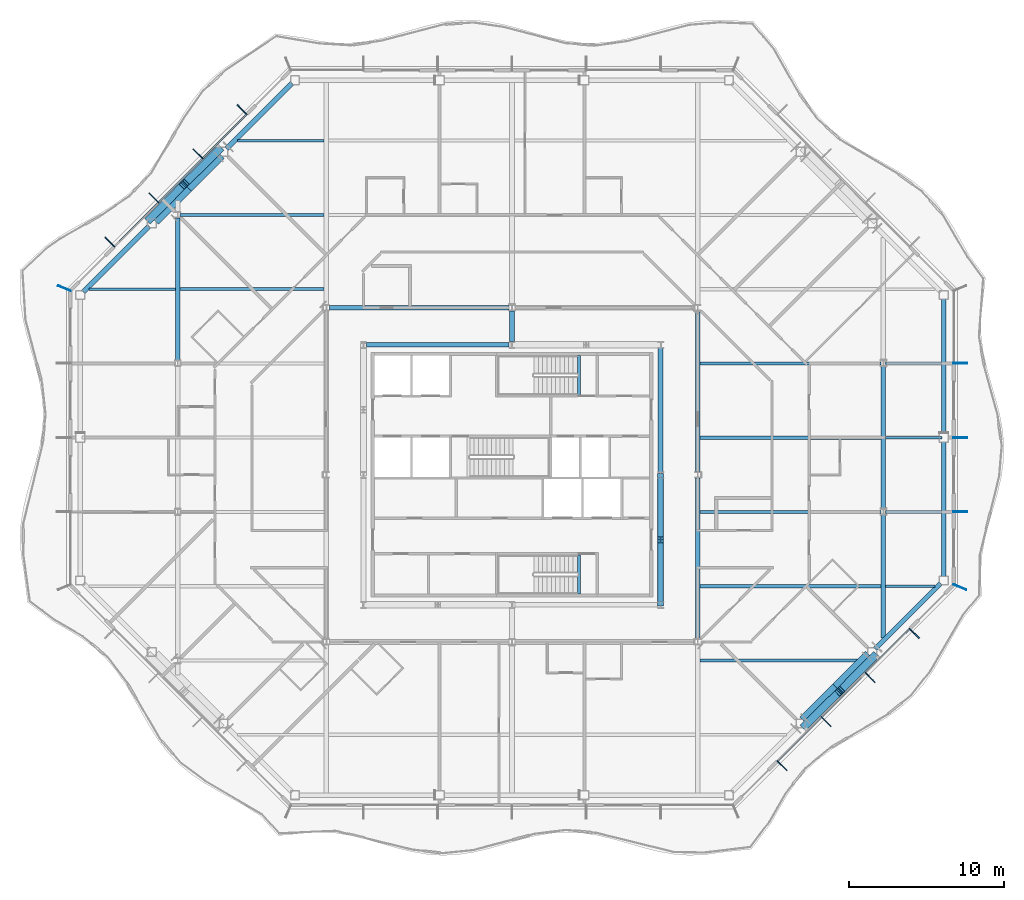
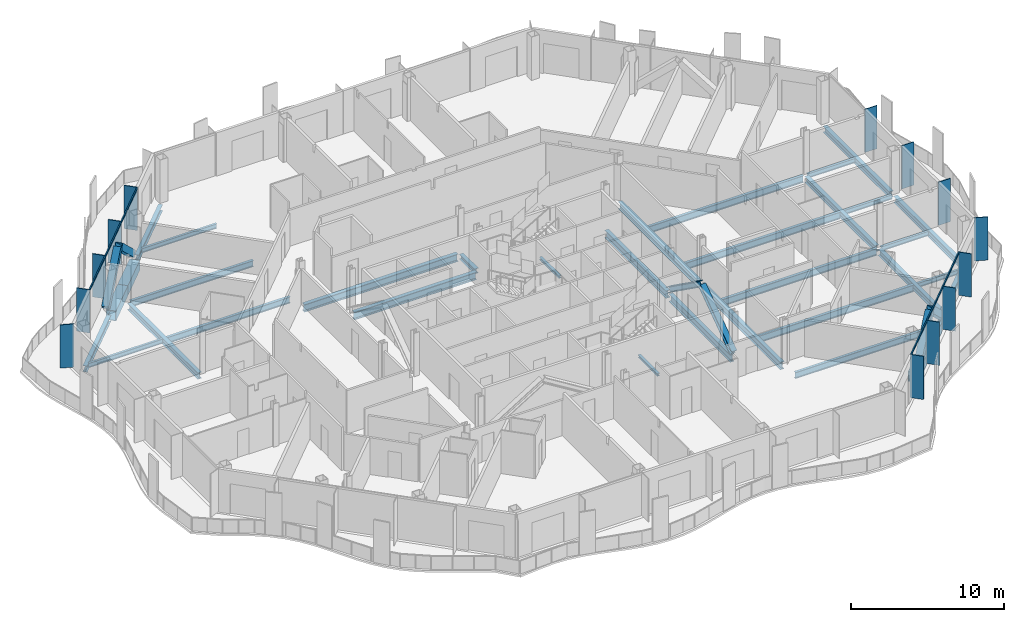
# One storey, part 4 of 21: 34 beams, 25 members, 4 elements without a shape of their own.
"""IFC4 building model written with IfcOpenShell, lengths in metres."""

from ifc_helpers import new_model, si_unit, direction, frame, origin, origin_2d, place, context, subcontext, project, spatial, rectangle, hollow_rectangle, i_section, extrude, material, material_profile, profile_set, type_object, element, aggregate, save


model = new_model("IFC4")

# Units and contexts
model_context = context("Model", 3, precision=1e-05, world=origin(), true_north=direction((0.0, 1.0)))
body_context = subcontext(model_context, "Body", "Model", "MODEL_VIEW")
ifc_project = project(units=[si_unit("LENGTHUNIT", "METRE"), si_unit("AREAUNIT", "SQUARE_METRE"), si_unit("VOLUMEUNIT", "CUBIC_METRE"), si_unit("PLANEANGLEUNIT", "RADIAN"), si_unit("MASSUNIT", "GRAM", prefix="KILO")], contexts=[model_context])

# Site, building, storey
site_placement = place(None, origin())
site = spatial("IfcSite", under=ifc_project, at=site_placement, CompositionType="ELEMENT")
building_placement = place(site_placement, origin())
building = spatial("IfcBuilding", under=site, at=building_placement, Name="Cairn Pilgrim Tower", CompositionType="ELEMENT")
storey_placement = place(building_placement, frame((0.0, 0.0, 150.60009765625)))
storey = spatial("IfcBuildingStorey", under=building, at=storey_placement, Name="L37", CompositionType="ELEMENT", Elevation=150.60009765625)

# Members
ifc_material_1 = material(Name="Structural steel S460M", Category="steel")
ifc_material_profile_1 = material_profile(ifc_material_1, hollow_rectangle(XDim=0.5, YDim=0.5, WallThickness=0.030029296875, at=origin_2d()), Name="BOX 500x500x30")
ifc_profile_set_1 = profile_set([ifc_material_profile_1], Name="Structural steel S460M")
member_type_1 = type_object("IfcMemberType", Name="BOX 500x500x30 BRACE", PredefinedType="BRACE", material=ifc_profile_set_1)
for number, where, z_axis, x_axis, name in (
    (1, (26.097900390625, -13.84326171875, 0.14990234375), (0.540432836476, 0.53283023714, 0.651171473306), (-0.702080283622, 0.712097799006, 0.0), "XB-SE2-SE3-1"),
    (2, (30.643310546875, -9.2978515625, 0.14990234375), (-0.53283023714, -0.540432836476, 0.651171473306), (0.712097799006, -0.702080283622, 0.0), "XB-SE2-SE3-2"),
    (3, (-11.697998046875, 23.443359375, 0.14990234375), (-0.540432836476, -0.53283023714, 0.651171473306), (0.702080283622, -0.712097799006, 0.0), "XB-NW2-NW3-1"),
    (4, (-16.243408203125, 18.89794921875, 0.14990234375), (0.532872437944, 0.54041586551, 0.651151024866), (-0.712058976351, 0.702119658034, 0.0), "XB-NW2-NW3-2"),
):
    element("IfcMember", number, at=place(storey_placement, frame(where, z_axis=z_axis, x_axis=x_axis)), inside=storey, type_object=member_type_1, Name=name, PredefinedType="BRACE", context=body_context, shape_type="SweptSolid", body=[
        extrude(hollow_rectangle(XDim=0.5, YDim=0.5, WallThickness=0.030029296875, at=origin_2d()), origin(), (0.0, 0.0, 1.0), 4.142578125),
    ])

# Beams
ifc_material_2 = material(Name="Structural steel S355J2", Category="steel")
ifc_material_profile_2 = material_profile(ifc_material_2, hollow_rectangle(XDim=0.699951171875, YDim=0.800048828125, WallThickness=0.0400390625, at=origin_2d()), Name="BOX 700x800x40")
ifc_profile_set_2 = profile_set([ifc_material_profile_2], Name="Structural steel S355J2")
beam_type_1 = type_object("IfcBeamType", Name="BOX 700x800x40 RING GIRDER", PredefinedType="SPANDREL", material=ifc_profile_set_2)
for number, where, z_axis, x_axis, name in (
    (5, (26.04248046875, -13.48486328125, -0.550048828125), (0.707066087907, 0.707147472125, 0.0), (-0.707147472125, 0.707066087907, 0.0), "RG2-SE2-SE3-1"),
    (6, (28.16357421875, -11.363525390625, -0.550048828125), (0.707147472125, 0.707066087907, 0.0), (-0.707066087907, 0.707147472125, 0.0), "RG2-SE2-SE3-2"),
    (7, (-11.642333984375, 23.084716796875, -0.550048828125), (-0.707147472125, -0.707066087907, 0.0), (0.707066087907, -0.707147472125, 0.0), "RG2-NW2-NW3-1"),
    (8, (-13.763671875, 20.963623046875, -0.550048828125), (-0.707066087907, -0.707147472125, 0.0), (0.707147472125, -0.707066087907, 0.0), "RG2-NW2-NW3-2"),
):
    element("IfcBeam", number, at=place(storey_placement, frame(where, z_axis=z_axis, x_axis=x_axis)), inside=storey, type_object=beam_type_1, Name=name, PredefinedType="SPANDREL", context=body_context, shape_type="SweptSolid", body=[
        extrude(hollow_rectangle(XDim=0.699951171875, YDim=0.800048828125, WallThickness=0.0400390625, at=origin_2d()), origin(), (0.0, 0.0, 1.0), 2.999755859375),
    ])

# Curtain wall, members
ifc_material_3 = material(Name="Aluminium alloy 6063-T6 bronze anodised with Bronze tinted laminated low-E glass 8+16+8.8", Category="aluminium")
curtain_wall_type_1 = type_object("IfcCurtainWallType", Name="CHAMFER CORNER CURTAIN WALL", PredefinedType="NOTDEFINED", material=ifc_material_3)
curtain_wall_1_placement = place(storey_placement, origin())
curtain_wall_1 = element("IfcCurtainWall", 9, at=curtain_wall_1_placement, inside=storey, type_object=curtain_wall_type_1, Name="Chamfer Corner Curtain Wall SE", PredefinedType="NOTDEFINED")
ifc_material_4 = material(Name="Aluminium alloy 6063-T6 bronze anodised", Category="aluminium")
ifc_material_profile_3 = material_profile(ifc_material_4, rectangle(XDim=0.89990234375, YDim=0.06005859375, at=origin_2d()), Name="FIN MULLION 60x900 BRONZE")
ifc_profile_set_3 = profile_set([ifc_material_profile_3], Name="Aluminium alloy 6063-T6 bronze anodised")
member_type_2 = type_object("IfcMemberType", Name="FIN MULLION 60x900 BRONZE", PredefinedType="MULLION", material=ifc_profile_set_3)
member_1_placement = place(storey_placement, frame((24.64404296875, -16.396240234375, 0.0), z_axis=(0.0, 0.0, 1.0), x_axis=(0.707106781187, -0.707106781187, 0.0)))
member_1 = element("IfcMember", 10, at=member_1_placement, type_object=member_type_2, Name="Fin mullion SE2", PredefinedType="MULLION", context=body_context, shape_type="SweptSolid", body=[
    extrude(rectangle(XDim=0.89990234375, YDim=0.06005859375, at=origin_2d()), origin(), (0.0, 0.0, 1.0), 3.449951171875),
])
member_2_placement = place(storey_placement, frame((27.494873046875, -13.545654296875, 0.0), z_axis=(0.0, 0.0, 1.0), x_axis=(0.707106781187, -0.707106781187, 0.0)))
member_2 = element("IfcMember", 11, at=member_2_placement, type_object=member_type_2, Name="Fin mullion SE3", PredefinedType="MULLION", context=body_context, shape_type="SweptSolid", body=[
    extrude(rectangle(XDim=0.89990234375, YDim=0.06005859375, at=origin_2d()), origin(), (0.0, 0.0, 1.0), 3.449951171875),
])
member_3_placement = place(storey_placement, frame((30.345458984375, -10.69482421875, 0.0), z_axis=(0.0, 0.0, 1.0), x_axis=(0.707106781187, -0.707106781187, 0.0)))
member_3 = element("IfcMember", 12, at=member_3_placement, type_object=member_type_2, Name="Fin mullion SE4", PredefinedType="MULLION", context=body_context, shape_type="SweptSolid", body=[
    extrude(rectangle(XDim=0.89990234375, YDim=0.06005859375, at=origin_2d()), origin(), (0.0, 0.0, 1.0), 3.449951171875),
])
member_4_placement = place(storey_placement, frame((33.1962890625, -7.84423828125, 0.0), z_axis=(0.0, 0.0, 1.0), x_axis=(0.707106781187, -0.707106781187, 0.0)))
member_4 = element("IfcMember", 13, at=member_4_placement, type_object=member_type_2, Name="Fin mullion SE5", PredefinedType="MULLION", context=body_context, shape_type="SweptSolid", body=[
    extrude(rectangle(XDim=0.89990234375, YDim=0.06005859375, at=origin_2d()), origin(), (0.0, 0.0, 1.0), 3.449951171875),
])

curtain_wall_type_2 = type_object("IfcCurtainWallType", Name="TOWER STICK CURTAIN WALL EW", PredefinedType="NOTDEFINED", material=ifc_material_3)
curtain_wall_2_placement = place(storey_placement, origin())
curtain_wall_2 = element("IfcCurtainWall", 14, at=curtain_wall_2_placement, inside=storey, type_object=curtain_wall_type_2, Name="Tower Stick Curtain Wall Ew E", PredefinedType="NOTDEFINED")
member_5_placement = place(storey_placement, frame((36.137939453125, -4.857177734375, 0.0), z_axis=(0.0, 0.0, 1.0), x_axis=(0.923879532511, -0.382683432365, 0.0)))
member_5 = element("IfcMember", 15, at=member_5_placement, type_object=member_type_2, Name="Fin mullion E1", PredefinedType="MULLION", context=body_context, shape_type="SweptSolid", body=[
    extrude(rectangle(XDim=0.89990234375, YDim=0.06005859375, at=origin_2d()), origin(), (0.0, 0.0, 1.0), 3.449951171875),
])
member_6_placement = place(storey_placement, frame((36.169921875, 0.0, 0.0), z_axis=(0.0, 0.0, 1.0), x_axis=(1.0, 0.0, 0.0)))
member_6 = element("IfcMember", 16, at=member_6_placement, type_object=member_type_2, Name="Fin mullion E2", PredefinedType="MULLION", context=body_context, shape_type="SweptSolid", body=[
    extrude(rectangle(XDim=0.89990234375, YDim=0.06005859375, at=origin_2d()), origin(), (0.0, 0.0, 1.0), 3.449951171875),
])
member_7_placement = place(storey_placement, frame((36.169921875, 4.800048828125, 0.0), z_axis=(0.0, 0.0, 1.0), x_axis=(1.0, 0.0, 0.0)))
member_7 = element("IfcMember", 17, at=member_7_placement, type_object=member_type_2, Name="Fin mullion E3", PredefinedType="MULLION", context=body_context, shape_type="SweptSolid", body=[
    extrude(rectangle(XDim=0.89990234375, YDim=0.06005859375, at=origin_2d()), origin(), (0.0, 0.0, 1.0), 3.449951171875),
])
member_8_placement = place(storey_placement, frame((36.169921875, 9.60009765625, 0.0), z_axis=(0.0, 0.0, 1.0), x_axis=(1.0, 0.0, 0.0)))
member_8 = element("IfcMember", 18, at=member_8_placement, type_object=member_type_2, Name="Fin mullion E4", PredefinedType="MULLION", context=body_context, shape_type="SweptSolid", body=[
    extrude(rectangle(XDim=0.89990234375, YDim=0.06005859375, at=origin_2d()), origin(), (0.0, 0.0, 1.0), 3.449951171875),
])
aggregate(curtain_wall_2, [member_5, member_6, member_7, member_8])

curtain_wall_3_placement = place(storey_placement, origin())
curtain_wall_3 = element("IfcCurtainWall", 19, at=curtain_wall_3_placement, inside=storey, type_object=curtain_wall_type_1, Name="Chamfer Corner Curtain Wall NW", PredefinedType="NOTDEFINED")
member_9_placement = place(storey_placement, frame((-10.244140625, 25.996337890625, 0.0), z_axis=(0.0, 0.0, 1.0), x_axis=(-0.707106781187, 0.707106781187, 0.0)))
member_9 = element("IfcMember", 20, at=member_9_placement, type_object=member_type_2, Name="Fin mullion NW2", PredefinedType="MULLION", context=body_context, shape_type="SweptSolid", body=[
    extrude(rectangle(XDim=0.89990234375, YDim=0.06005859375, at=origin_2d()), origin(), (0.0, 0.0, 1.0), 3.449951171875),
])
member_10_placement = place(storey_placement, frame((-13.094970703125, 23.1455078125, 0.0), z_axis=(0.0, 0.0, 1.0), x_axis=(-0.707106781187, 0.707106781187, 0.0)))
member_10 = element("IfcMember", 21, at=member_10_placement, type_object=member_type_2, Name="Fin mullion NW3", PredefinedType="MULLION", context=body_context, shape_type="SweptSolid", body=[
    extrude(rectangle(XDim=0.89990234375, YDim=0.06005859375, at=origin_2d()), origin(), (0.0, 0.0, 1.0), 3.449951171875),
])
member_11_placement = place(storey_placement, frame((-15.945556640625, 20.294921875, 0.0), z_axis=(0.0, 0.0, 1.0), x_axis=(-0.707106781187, 0.707106781187, 0.0)))
member_11 = element("IfcMember", 22, at=member_11_placement, type_object=member_type_2, Name="Fin mullion NW4", PredefinedType="MULLION", context=body_context, shape_type="SweptSolid", body=[
    extrude(rectangle(XDim=0.89990234375, YDim=0.06005859375, at=origin_2d()), origin(), (0.0, 0.0, 1.0), 3.449951171875),
])
member_12_placement = place(storey_placement, frame((-18.79638671875, 17.444091796875, 0.0), z_axis=(0.0, 0.0, 1.0), x_axis=(-0.707106781187, 0.707106781187, 0.0)))
member_12 = element("IfcMember", 23, at=member_12_placement, type_object=member_type_2, Name="Fin mullion NW5", PredefinedType="MULLION", context=body_context, shape_type="SweptSolid", body=[
    extrude(rectangle(XDim=0.89990234375, YDim=0.06005859375, at=origin_2d()), origin(), (0.0, 0.0, 1.0), 3.449951171875),
])

# Curtain wall, member
curtain_wall_4_placement = place(storey_placement, origin())
curtain_wall_4 = element("IfcCurtainWall", 24, at=curtain_wall_4_placement, inside=storey, type_object=curtain_wall_type_2, Name="Tower Stick Curtain Wall Ew W", PredefinedType="NOTDEFINED")
member_13_placement = place(storey_placement, frame((-21.738037109375, 14.457275390625, 0.0), z_axis=(0.0, 0.0, 1.0), x_axis=(-0.923879532511, 0.382683432365, 0.0)))
member_13 = element("IfcMember", 25, at=member_13_placement, type_object=member_type_2, Name="Fin mullion W1", PredefinedType="MULLION", context=body_context, shape_type="SweptSolid", body=[
    extrude(rectangle(XDim=0.89990234375, YDim=0.06005859375, at=origin_2d()), origin(), (0.0, 0.0, 1.0), 3.449951171875),
])
aggregate(curtain_wall_4, [member_13])

# Members
ifc_material_profile_4 = material_profile(ifc_material_1, i_section(OverallWidth=0.408935546875, OverallDepth=0.425048828125, WebThickness=0.03271484375, FlangeThickness=0.052490234375, FilletRadius=0.014892578125, at=origin_2d()), Name="HD 400x421")
ifc_profile_set_4 = profile_set([ifc_material_profile_4], Name="Structural steel S460M")
member_type_3 = type_object("IfcMemberType", Name="HD 400x421 BRACE", PredefinedType="BRACE", material=ifc_profile_set_4)
member_14_placement = place(storey_placement, frame((16.800048828125, -5.95849609375, 0.099853515625), z_axis=(0.0, 0.814346882511, 0.580378458373), x_axis=(-1.0, 0.0, 0.0)))
element("IfcMember", 26, at=member_14_placement, inside=storey, type_object=member_type_3, Name="KB-2A", PredefinedType="BRACE", context=body_context, shape_type="SweptSolid", body=[
    extrude(i_section(OverallWidth=0.408935546875, OverallDepth=0.425048828125, WebThickness=0.03271484375, FlangeThickness=0.052490234375, FilletRadius=0.014892578125, at=origin_2d()), origin(), (0.0, 0.0, 1.0), 4.998291015625),
])
member_15_placement = place(storey_placement, frame((16.800048828125, 2.3583984375, 0.099853515625), z_axis=(0.0, -0.81433042856, 0.580401544727), x_axis=(1.0, 0.0, 0.0)))
element("IfcMember", 27, at=member_15_placement, inside=storey, type_object=member_type_3, Name="KB-2B", PredefinedType="BRACE", context=body_context, shape_type="SweptSolid", body=[
    extrude(i_section(OverallWidth=0.408935546875, OverallDepth=0.425048828125, WebThickness=0.03271484375, FlangeThickness=0.052490234375, FilletRadius=0.014892578125, at=origin_2d()), origin(), (0.0, 0.0, 1.0), 4.998046875),
])

# Beams
ifc_material_profile_5 = material_profile(ifc_material_2, i_section(OverallWidth=0.300048828125, OverallDepth=0.39990234375, WebThickness=0.013427734375, FlangeThickness=0.02392578125, FilletRadius=0.027099609375, at=origin_2d()), Name="HEB 400")
ifc_profile_set_5 = profile_set([ifc_material_profile_5], Name="Structural steel S355J2")
beam_type_2 = type_object("IfcBeamType", Name="HEB 400 GIRDER", PredefinedType="BEAM", material=ifc_profile_set_5)
beam_1_placement = place(storey_placement, frame((7.199951171875, 11.008056640625, -0.35009765625), z_axis=(0.0, 1.0, 0.0), x_axis=(-1.0, 0.0, 0.0)))
element("IfcBeam", 28, at=beam_1_placement, inside=storey, type_object=beam_type_2, Name="PG3-E2", PredefinedType="BEAM", context=body_context, shape_type="SweptSolid", body=[
    extrude(i_section(OverallWidth=0.300048828125, OverallDepth=0.39990234375, WebThickness=0.013427734375, FlangeThickness=0.02392578125, FilletRadius=0.027099609375, at=origin_2d()), origin(), (0.0, 0.0, 1.0), 1.992431640625),
])
ifc_material_profile_6 = material_profile(ifc_material_2, i_section(OverallWidth=0.300048828125, OverallDepth=0.5, WebThickness=0.014404296875, FlangeThickness=0.028076171875, FilletRadius=0.027099609375, at=origin_2d()), Name="HEB 500")
ifc_profile_set_6 = profile_set([ifc_material_profile_6], Name="Structural steel S355J2")
beam_type_3 = type_object("IfcBeamType", Name="HEB 500 GIRDER", PredefinedType="BEAM", material=ifc_profile_set_6)
beam_2_placement = place(storey_placement, frame((-14.39990234375, 9.799560546875, -0.400146484375), z_axis=(0.0, 1.0, 0.0), x_axis=(-1.0, 0.0, 0.0)))
element("IfcBeam", 29, at=beam_2_placement, inside=storey, type_object=beam_type_3, Name="PG1-3", PredefinedType="BEAM", context=body_context, shape_type="SweptSolid", body=[
    extrude(i_section(OverallWidth=0.300048828125, OverallDepth=0.5, WebThickness=0.014404296875, FlangeThickness=0.028076171875, FilletRadius=0.027099609375, at=origin_2d()), origin(), (0.0, 0.0, 1.0), 9.200927734375),
])
beam_3_placement = place(storey_placement, frame((31.199951171875, -8.14501953125, -0.400146484375), z_axis=(0.0, 1.0, 0.0), x_axis=(-1.0, 0.0, 0.0)))
element("IfcBeam", 30, at=beam_3_placement, inside=storey, type_object=beam_type_3, Name="PG5-1", PredefinedType="BEAM", context=body_context, shape_type="SweptSolid", body=[
    extrude(i_section(OverallWidth=0.300048828125, OverallDepth=0.5, WebThickness=0.014404296875, FlangeThickness=0.028076171875, FilletRadius=0.027099609375, at=origin_2d()), origin(), (0.0, 0.0, 1.0), 7.9404296875),
])
beam_4_placement = place(storey_placement, frame((31.199951171875, 0.20458984375, -0.400146484375), z_axis=(0.0, 1.0, 0.0), x_axis=(-1.0, 0.0, 0.0)))
element("IfcBeam", 31, at=beam_4_placement, inside=storey, type_object=beam_type_3, Name="PG5-2", PredefinedType="BEAM", context=body_context, shape_type="SweptSolid", body=[
    extrude(i_section(OverallWidth=0.300048828125, OverallDepth=0.5, WebThickness=0.014404296875, FlangeThickness=0.028076171875, FilletRadius=0.027099609375, at=origin_2d()), origin(), (0.0, 0.0, 1.0), 9.19091796875),
])
ifc_material_profile_7 = material_profile(ifc_material_2, i_section(OverallWidth=0.300048828125, OverallDepth=0.5, WebThickness=0.014404296875, FlangeThickness=0.028076171875, FilletRadius=0.027099609375, at=origin_2d()), Name="HEB 500")
ifc_profile_set_7 = profile_set([ifc_material_profile_7], Name="Structural steel S355J2")
beam_type_4 = type_object("IfcBeamType", Name="HEB 500 RING GIRDER", PredefinedType="SPANDREL", material=ifc_profile_set_7)
beam_5_placement = place(storey_placement, frame((30.666748046875, -8.860595703125, -0.400146484375), z_axis=(0.707106781187, 0.707106781187, 0.0), x_axis=(-0.707106781187, 0.707106781187, 0.0)))
element("IfcBeam", 32, at=beam_5_placement, inside=storey, type_object=beam_type_4, Name="RG2-SE3-E1", PredefinedType="SPANDREL", context=body_context, shape_type="SweptSolid", body=[
    extrude(i_section(OverallWidth=0.300048828125, OverallDepth=0.5, WebThickness=0.014404296875, FlangeThickness=0.028076171875, FilletRadius=0.027099609375, at=origin_2d()), origin(), (0.0, 0.0, 1.0), 5.999755859375),
])
beam_6_placement = place(storey_placement, frame((35.10009765625, -4.1572265625, -0.400146484375), z_axis=(0.0, 1.0, 0.0), x_axis=(-1.0, 0.0, 0.0)))
element("IfcBeam", 33, at=beam_6_placement, inside=storey, type_object=beam_type_4, Name="RG2-E1-E2", PredefinedType="SPANDREL", context=body_context, shape_type="SweptSolid", body=[
    extrude(i_section(OverallWidth=0.300048828125, OverallDepth=0.5, WebThickness=0.014404296875, FlangeThickness=0.028076171875, FilletRadius=0.027099609375, at=origin_2d()), origin(), (0.0, 0.0, 1.0), 8.687255859375),
])
beam_7_placement = place(storey_placement, frame((35.10009765625, 5.070068359375, -0.400146484375), z_axis=(0.0, 1.0, 0.0), x_axis=(-1.0, 0.0, 0.0)))
element("IfcBeam", 34, at=beam_7_placement, inside=storey, type_object=beam_type_4, Name="RG2-E2-NE1", PredefinedType="SPANDREL", context=body_context, shape_type="SweptSolid", body=[
    extrude(i_section(OverallWidth=0.300048828125, OverallDepth=0.5, WebThickness=0.014404296875, FlangeThickness=0.028076171875, FilletRadius=0.027099609375, at=origin_2d()), origin(), (0.0, 0.0, 1.0), 8.68701171875),
])
beam_8_placement = place(storey_placement, frame((-7.01806640625, 27.708984375, -0.400146484375), z_axis=(-0.707127127534, -0.707086434254, 0.0), x_axis=(0.707086434254, -0.707127127534, 0.0)))
element("IfcBeam", 35, at=beam_8_placement, inside=storey, type_object=beam_type_4, Name="RG2-NW1-NW2", PredefinedType="SPANDREL", context=body_context, shape_type="SweptSolid", body=[
    extrude(i_section(OverallWidth=0.300048828125, OverallDepth=0.5, WebThickness=0.014404296875, FlangeThickness=0.028076171875, FilletRadius=0.027099609375, at=origin_2d()), origin(), (0.0, 0.0, 1.0), 5.99951171875),
])
beam_9_placement = place(storey_placement, frame((-16.2666015625, 18.460693359375, -0.400146484375), z_axis=(-0.707086435425, -0.707127126363, 0.0), x_axis=(0.707127126363, -0.707086435425, 0.0)))
element("IfcBeam", 36, at=beam_9_placement, inside=storey, type_object=beam_type_4, Name="RG2-NW3-W1", PredefinedType="SPANDREL", context=body_context, shape_type="SweptSolid", body=[
    extrude(i_section(OverallWidth=0.300048828125, OverallDepth=0.5, WebThickness=0.014404296875, FlangeThickness=0.028076171875, FilletRadius=0.027099609375, at=origin_2d()), origin(), (0.0, 0.0, 1.0), 5.999755859375),
])
ifc_material_profile_8 = material_profile(ifc_material_2, i_section(OverallWidth=0.300048828125, OverallDepth=0.60009765625, WebThickness=0.015380859375, FlangeThickness=0.030029296875, FilletRadius=0.027099609375, at=origin_2d()), Name="HEB 600")
ifc_profile_set_8 = profile_set([ifc_material_profile_8], Name="Structural steel S355J2")
beam_type_5 = type_object("IfcBeamType", Name="HEB 600 CORE BEAM", PredefinedType="BEAM", material=ifc_profile_set_8)
for number, where, z_axis, x_axis, name in (
    (37, (16.800048828125, -5.812744140625, -0.4501953125), (0.0, 1.0, 0.0), (-1.0, 0.0, 0.0), "CB-3"),
    (38, (16.800048828125, 2.587158203125, -0.4501953125), (0.0, 1.0, 0.0), (-1.0, 0.0, 0.0), "CB-4"),
):
    element("IfcBeam", number, at=place(storey_placement, frame(where, z_axis=z_axis, x_axis=x_axis)), inside=storey, type_object=beam_type_5, Name=name, PredefinedType="BEAM", context=body_context, shape_type="SweptSolid", body=[
        extrude(i_section(OverallWidth=0.300048828125, OverallDepth=0.60009765625, WebThickness=0.015380859375, FlangeThickness=0.030029296875, FilletRadius=0.027099609375, at=origin_2d()), origin(), (0.0, 0.0, 1.0), 8.025634765625),
    ])
beam_10_placement = place(storey_placement, frame((7.0126953125, 10.800048828125, -0.4501953125), z_axis=(-1.0, 0.0, 0.0), x_axis=(0.0, -1.0, 0.0)))
element("IfcBeam", 39, at=beam_10_placement, inside=storey, type_object=beam_type_5, Name="CB-6", PredefinedType="BEAM", context=body_context, shape_type="SweptSolid", body=[
    extrude(i_section(OverallWidth=0.300048828125, OverallDepth=0.60009765625, WebThickness=0.015380859375, FlangeThickness=0.030029296875, FilletRadius=0.027099609375, at=origin_2d()), origin(), (0.0, 0.0, 1.0), 9.2255859375),
])
ifc_material_profile_9 = material_profile(ifc_material_2, i_section(OverallWidth=0.300048828125, OverallDepth=0.60009765625, WebThickness=0.015380859375, FlangeThickness=0.030029296875, FilletRadius=0.027099609375, at=origin_2d()), Name="HEB 600")
ifc_profile_set_9 = profile_set([ifc_material_profile_9], Name="Structural steel S355J2")
beam_type_6 = type_object("IfcBeamType", Name="HEB 600 GIRDER", PredefinedType="BEAM", material=ifc_profile_set_9)
for number, where, z_axis, x_axis, name in (
    (40, (19.199951171875, -8.200439453125, -0.4501953125), (0.0, 1.0, 0.0), (-1.0, 0.0, 0.0), "PG4-2"),
    (41, (19.199951171875, 2.599609375, -0.4501953125), (0.0, 1.0, 0.0), (-1.0, 0.0, 0.0), "PG4-3"),
):
    element("IfcBeam", number, at=place(storey_placement, frame(where, z_axis=z_axis, x_axis=x_axis)), inside=storey, type_object=beam_type_6, Name=name, PredefinedType="BEAM", context=body_context, shape_type="SweptSolid", body=[
        extrude(i_section(OverallWidth=0.300048828125, OverallDepth=0.60009765625, WebThickness=0.015380859375, FlangeThickness=0.030029296875, FilletRadius=0.027099609375, at=origin_2d()), origin(), (0.0, 0.0, 1.0), 10.40087890625),
    ])
ifc_material_profile_10 = material_profile(ifc_material_2, i_section(OverallWidth=0.300048828125, OverallDepth=0.60009765625, WebThickness=0.015380859375, FlangeThickness=0.030029296875, FilletRadius=0.027099609375, at=origin_2d()), Name="HEB 600")
ifc_profile_set_10 = profile_set([ifc_material_profile_10], Name="Structural steel S355J2")
beam_type_7 = type_object("IfcBeamType", Name="HEB 600 INNER GIRDER", PredefinedType="BEAM", material=ifc_profile_set_10)
beam_11_placement = place(storey_placement, frame((-4.6005859375, 13.199951171875, -0.4501953125), z_axis=(1.0, 0.0, 0.0), x_axis=(0.0, 1.0, 0.0)))
element("IfcBeam", 42, at=beam_11_placement, inside=storey, type_object=beam_type_7, Name="IG2-1", PredefinedType="BEAM", context=body_context, shape_type="SweptSolid", body=[
    extrude(i_section(OverallWidth=0.300048828125, OverallDepth=0.60009765625, WebThickness=0.015380859375, FlangeThickness=0.030029296875, FilletRadius=0.027099609375, at=origin_2d()), origin(), (0.0, 0.0, 1.0), 11.60107421875),
])
ifc_material_profile_11 = material_profile(ifc_material_2, i_section(OverallWidth=0.169921875, OverallDepth=0.360107421875, WebThickness=0.008056640625, FlangeThickness=0.0126953125, FilletRadius=0.01806640625, at=origin_2d()), Name="IPE 360")
ifc_profile_set_11 = profile_set([ifc_material_profile_11], Name="Structural steel S355J2")
beam_type_8 = type_object("IfcBeamType", Name="IPE 360 SECONDARY BEAM", PredefinedType="JOIST", material=ifc_profile_set_11)
beam_12_placement = place(storey_placement, frame((31.35009765625, -4.800048828125, -0.330078125), z_axis=(1.0, 0.0, 0.0), x_axis=(0.0, 1.0, 0.0)))
element("IfcBeam", 43, at=beam_12_placement, inside=storey, type_object=beam_type_8, Name="SB3-4", PredefinedType="JOIST", context=body_context, shape_type="SweptSolid", body=[
    extrude(i_section(OverallWidth=0.169921875, OverallDepth=0.360107421875, WebThickness=0.008056640625, FlangeThickness=0.0126953125, FilletRadius=0.01806640625, at=origin_2d()), origin(), (0.0, 0.0, 1.0), 3.195068359375),
])
for number, where, z_axis, x_axis, name in (
    (44, (31.35009765625, 0.0, -0.330078125), (1.0, 0.0, 0.0), (0.0, 1.0, 0.0), "SB4-4"),
    (45, (31.35009765625, 4.800048828125, -0.330078125), (1.0, 0.0, 0.0), (0.0, 1.0, 0.0), "SB5-4"),
    (46, (31.35009765625, 9.60009765625, -0.330078125), (1.0, 0.0, 0.0), (0.0, 1.0, 0.0), "SB6-4"),
):
    element("IfcBeam", number, at=place(storey_placement, frame(where, z_axis=z_axis, x_axis=x_axis)), inside=storey, type_object=beam_type_8, Name=name, PredefinedType="JOIST", context=body_context, shape_type="SweptSolid", body=[
        extrude(i_section(OverallWidth=0.169921875, OverallDepth=0.360107421875, WebThickness=0.008056640625, FlangeThickness=0.0126953125, FilletRadius=0.01806640625, at=origin_2d()), origin(), (0.0, 0.0, 1.0), 3.6298828125),
    ])
beam_13_placement = place(storey_placement, frame((-20.14501953125, 14.39990234375, -0.330078125), z_axis=(1.0, 0.0, 0.0), x_axis=(0.0, 1.0, 0.0)))
element("IfcBeam", 47, at=beam_13_placement, inside=storey, type_object=beam_type_8, Name="SB7-1", PredefinedType="JOIST", context=body_context, shape_type="SweptSolid", body=[
    extrude(i_section(OverallWidth=0.169921875, OverallDepth=0.360107421875, WebThickness=0.008056640625, FlangeThickness=0.0126953125, FilletRadius=0.01806640625, at=origin_2d()), origin(), (0.0, 0.0, 1.0), 5.594970703125),
])
beam_14_placement = place(storey_placement, frame((-10.545166015625, 24.0, -0.330078125), z_axis=(1.0, 0.0, 0.0), x_axis=(0.0, 1.0, 0.0)))
element("IfcBeam", 48, at=beam_14_placement, inside=storey, type_object=beam_type_8, Name="SB9-1", PredefinedType="JOIST", context=body_context, shape_type="SweptSolid", body=[
    extrude(i_section(OverallWidth=0.169921875, OverallDepth=0.360107421875, WebThickness=0.008056640625, FlangeThickness=0.0126953125, FilletRadius=0.01806640625, at=origin_2d()), origin(), (0.0, 0.0, 1.0), 5.59521484375),
])
ifc_material_profile_12 = material_profile(ifc_material_2, i_section(OverallWidth=0.199951171875, OverallDepth=0.5, WebThickness=0.01025390625, FlangeThickness=0.01611328125, FilletRadius=0.02099609375, at=origin_2d()), Name="IPE 500")
ifc_profile_set_12 = profile_set([ifc_material_profile_12], Name="Structural steel S355J2")
beam_type_9 = type_object("IfcBeamType", Name="IPE 500 SECONDARY BEAM", PredefinedType="JOIST", material=ifc_profile_set_12)
beam_15_placement = place(storey_placement, frame((19.35009765625, -9.60009765625, -0.400146484375), z_axis=(1.0, 0.0, 0.0), x_axis=(0.0, 1.0, 0.0)))
element("IfcBeam", 49, at=beam_15_placement, inside=storey, type_object=beam_type_9, Name="SB2-2", PredefinedType="JOIST", context=body_context, shape_type="SweptSolid", body=[
    extrude(i_section(OverallWidth=0.199951171875, OverallDepth=0.5, WebThickness=0.01025390625, FlangeThickness=0.01611328125, FilletRadius=0.02099609375, at=origin_2d()), origin(), (0.0, 0.0, 1.0), 10.39501953125),
])
for number, where, z_axis, x_axis, name in (
    (50, (-14.25, 14.39990234375, -0.400146484375), (1.0, 0.0, 0.0), (0.0, 1.0, 0.0), "SB7-2"),
    (51, (-14.25, 19.199951171875, -0.400146484375), (1.0, 0.0, 0.0), (0.0, 1.0, 0.0), "SB8-1"),
):
    element("IfcBeam", number, at=place(storey_placement, frame(where, z_axis=z_axis, x_axis=x_axis)), inside=storey, type_object=beam_type_9, Name=name, PredefinedType="JOIST", context=body_context, shape_type="SweptSolid", body=[
        extrude(i_section(OverallWidth=0.199951171875, OverallDepth=0.5, WebThickness=0.01025390625, FlangeThickness=0.01611328125, FilletRadius=0.02099609375, at=origin_2d()), origin(), (0.0, 0.0, 1.0), 9.300048828125),
    ])
ifc_material_profile_13 = material_profile(ifc_material_2, i_section(OverallWidth=0.2099609375, OverallDepth=0.550048828125, WebThickness=0.010986328125, FlangeThickness=0.01708984375, FilletRadius=0.02392578125, at=origin_2d()), Name="IPE 550")
ifc_profile_set_13 = profile_set([ifc_material_profile_13], Name="Structural steel S355J2")
beam_type_10 = type_object("IfcBeamType", Name="IPE 550 SECONDARY BEAM", PredefinedType="JOIST", material=ifc_profile_set_13)
for number, where, z_axis, x_axis, name in (
    (52, (19.35009765625, -4.800048828125, -0.425048828125), (1.0, 0.0, 0.0), (0.0, 1.0, 0.0), "SB3-3"),
    (53, (19.35009765625, 0.0, -0.425048828125), (1.0, 0.0, 0.0), (0.0, 1.0, 0.0), "SB4-3"),
    (54, (19.35009765625, 4.800048828125, -0.425048828125), (1.0, 0.0, 0.0), (0.0, 1.0, 0.0), "SB5-3"),
    (55, (19.35009765625, 9.60009765625, -0.425048828125), (1.0, 0.0, 0.0), (0.0, 1.0, 0.0), "SB6-3"),
):
    element("IfcBeam", number, at=place(storey_placement, frame(where, z_axis=z_axis, x_axis=x_axis)), inside=storey, type_object=beam_type_10, Name=name, PredefinedType="JOIST", context=body_context, shape_type="SweptSolid", body=[
        extrude(i_section(OverallWidth=0.2099609375, OverallDepth=0.550048828125, WebThickness=0.010986328125, FlangeThickness=0.01708984375, FilletRadius=0.02392578125, at=origin_2d()), origin(), (0.0, 0.0, 1.0), 11.699951171875),
    ])
ifc_material_profile_14 = material_profile(ifc_material_2, i_section(OverallWidth=0.199951171875, OverallDepth=0.199951171875, WebThickness=0.009033203125, FlangeThickness=0.014892578125, FilletRadius=0.01806640625, at=origin_2d()), Name="HE 200 B")
ifc_profile_set_14 = profile_set([ifc_material_profile_14], Name="Structural steel S355J2")
beam_type_11 = type_object("IfcBeamType", Name="STAIR LANDING BEAM HE 200 B", PredefinedType="BEAM", material=ifc_profile_set_14)
for number, where, z_axis, x_axis, name in (
    (56, (11.5244140625, -2.77490234375, -0.25), (0.0, -1.0, 0.0), (1.0, 0.0, 0.0), "STAIR LANDING BEAM LD-HE200B"),
    (57, (11.5244140625, 10.10009765625, -0.25), (0.0, -1.0, 0.0), (1.0, 0.0, 0.0), "STAIR LANDING BEAM LD-HE200B"),
):
    element("IfcBeam", number, at=place(storey_placement, frame(where, z_axis=z_axis, x_axis=x_axis)), inside=storey, type_object=beam_type_11, Name=name, PredefinedType="BEAM", context=body_context, shape_type="SweptSolid", body=[
        extrude(i_section(OverallWidth=0.199951171875, OverallDepth=0.199951171875, WebThickness=0.009033203125, FlangeThickness=0.014892578125, FilletRadius=0.01806640625, at=origin_2d()), origin(), (0.0, 0.0, 1.0), 2.525146484375),
    ])

# Member
ifc_material_profile_15 = material_profile(ifc_material_4, rectangle(XDim=0.080078125, YDim=0.14990234375, at=origin_2d()), Name="TRANSOM 80x150 BRONZE")
ifc_profile_set_15 = profile_set([ifc_material_profile_15], Name="Aluminium alloy 6063-T6 bronze anodised")
member_type_4 = type_object("IfcMemberType", Name="TRANSOM 80x150 BRONZE", PredefinedType="USERDEFINED", material=ifc_profile_set_15)
member_16_placement = place(storey_placement, frame((24.368408203125, -16.078125, 3.375), z_axis=(0.707106781187, 0.707106781187, 0.0), x_axis=(-0.707106781187, 0.707106781187, 0.0)))
member_16 = element("IfcMember", 58, at=member_16_placement, type_object=member_type_4, Name="Transom SE2", ObjectType="TRANSOM", PredefinedType="USERDEFINED", context=body_context, shape_type="SweptSolid", body=[
    extrude(rectangle(XDim=0.080078125, YDim=0.14990234375, at=origin_2d()), origin(), (0.0, 0.0, 1.0), 3.9716796875),
])

member_17_placement = place(storey_placement, frame((27.218994140625, -13.227294921875, 3.375), z_axis=(0.70713751761, 0.707076043427, 0.0), x_axis=(-0.707076043427, 0.70713751761, 0.0)))
member_17 = element("IfcMember", 59, at=member_17_placement, type_object=member_type_4, Name="Transom SE3", ObjectType="TRANSOM", PredefinedType="USERDEFINED", context=body_context, shape_type="SweptSolid", body=[
    extrude(rectangle(XDim=0.080078125, YDim=0.14990234375, at=origin_2d()), origin(), (0.0, 0.0, 1.0), 3.971435546875),
])

member_18_placement = place(storey_placement, frame((30.06982421875, -10.376708984375, 3.375), z_axis=(0.707106781187, 0.707106781187, 0.0), x_axis=(-0.707106781187, 0.707106781187, 0.0)))
member_18 = element("IfcMember", 60, at=member_18_placement, type_object=member_type_4, Name="Transom SE4", ObjectType="TRANSOM", PredefinedType="USERDEFINED", context=body_context, shape_type="SweptSolid", body=[
    extrude(rectangle(XDim=0.080078125, YDim=0.14990234375, at=origin_2d()), origin(), (0.0, 0.0, 1.0), 3.9716796875),
])

aggregate(curtain_wall_1, [member_1, member_2, member_3, member_4, member_16, member_17, member_18])

member_19_placement = place(storey_placement, frame((-9.96826171875, 25.677978515625, 3.375), z_axis=(-0.70713751761, -0.707076043427, 0.0), x_axis=(0.707076043427, -0.70713751761, 0.0)))
member_19 = element("IfcMember", 61, at=member_19_placement, type_object=member_type_4, Name="Transom NW2", ObjectType="TRANSOM", PredefinedType="USERDEFINED", context=body_context, shape_type="SweptSolid", body=[
    extrude(rectangle(XDim=0.080078125, YDim=0.14990234375, at=origin_2d()), origin(), (0.0, 0.0, 1.0), 3.971435546875),
])

member_20_placement = place(storey_placement, frame((-12.819091796875, 22.827392578125, 3.375), z_axis=(-0.707106781187, -0.707106781187, 0.0), x_axis=(0.707106781187, -0.707106781187, 0.0)))
member_20 = element("IfcMember", 62, at=member_20_placement, type_object=member_type_4, Name="Transom NW3", ObjectType="TRANSOM", PredefinedType="USERDEFINED", context=body_context, shape_type="SweptSolid", body=[
    extrude(rectangle(XDim=0.080078125, YDim=0.14990234375, at=origin_2d()), origin(), (0.0, 0.0, 1.0), 3.9716796875),
])

member_21_placement = place(storey_placement, frame((-15.669677734375, 19.9765625, 3.375), z_axis=(-0.70713751761, -0.707076043427, 0.0), x_axis=(0.707076043427, -0.70713751761, 0.0)))
member_21 = element("IfcMember", 63, at=member_21_placement, type_object=member_type_4, Name="Transom NW4", ObjectType="TRANSOM", PredefinedType="USERDEFINED", context=body_context, shape_type="SweptSolid", body=[
    extrude(rectangle(XDim=0.080078125, YDim=0.14990234375, at=origin_2d()), origin(), (0.0, 0.0, 1.0), 3.971435546875),
])

aggregate(curtain_wall_3, [member_9, member_10, member_11, member_12, member_19, member_20, member_21])

save(model, "model.ifc")
